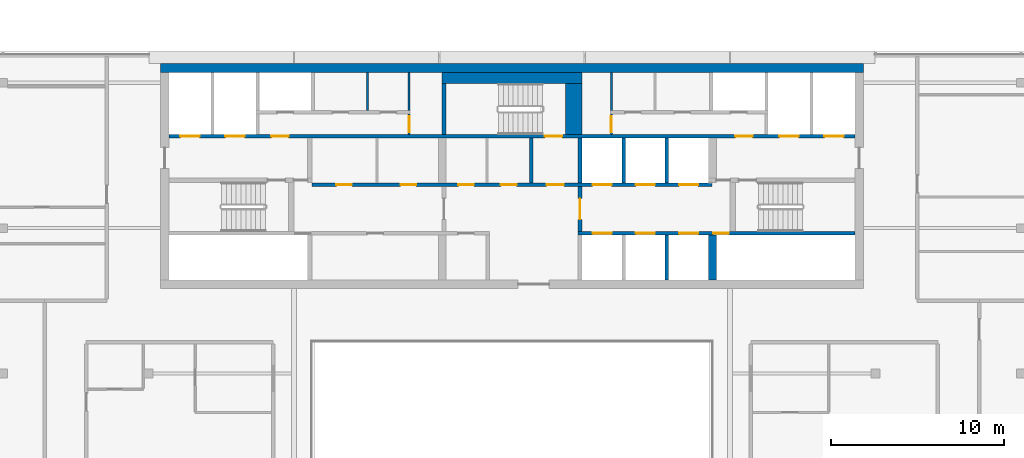
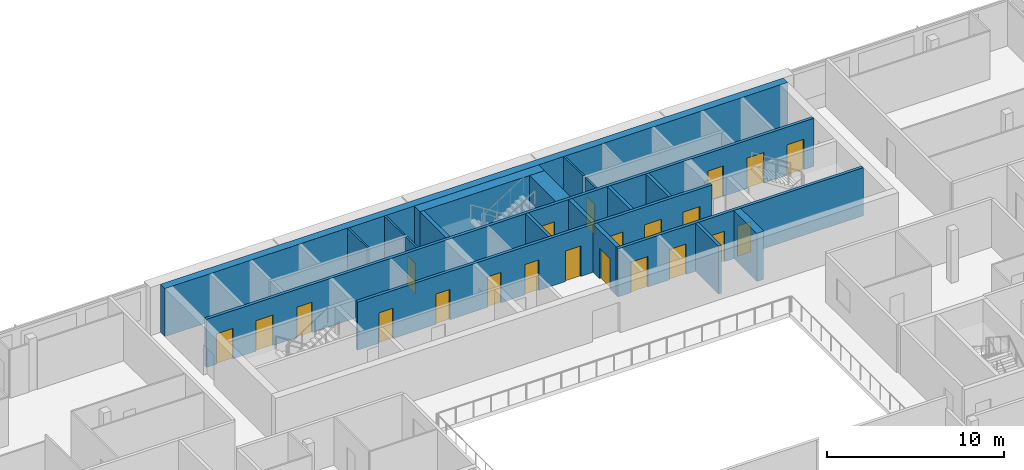
# One storey, part 19 of 27: 22 doors, 19 walls, 22 openings.
"""IFC4 building model written with IfcOpenShell, lengths in metres."""

from ifc_helpers import new_model, si_unit, direction, frame, frame_2d, origin, place, context, subcontext, project, spatial, rectangle, extrude, material, layer, layer_set, type_object, element, fill, save


model = new_model("IFC4")

# Units and contexts
model_context = context("Model", 3, precision=1e-05, world=origin(), true_north=direction((0.0, 1.0)))
body_context = subcontext(model_context, "Body", "Model", "MODEL_VIEW")
ifc_project = project(units=[si_unit("LENGTHUNIT", "METRE"), si_unit("AREAUNIT", "SQUARE_METRE"), si_unit("VOLUMEUNIT", "CUBIC_METRE"), si_unit("PLANEANGLEUNIT", "RADIAN"), si_unit("MASSUNIT", "GRAM", prefix="KILO")], contexts=[model_context])

# Site, building, storey
site_placement = place(None, origin())
site = spatial("IfcSite", under=ifc_project, at=site_placement, CompositionType="ELEMENT")
building_placement = place(site_placement, origin())
building = spatial("IfcBuilding", under=site, at=building_placement, Name="Saffron Gate Tower", CompositionType="ELEMENT")
storey_placement = place(building_placement, frame((0.0, 0.0, 267.14990234375)))
storey = spatial("IfcBuildingStorey", under=building, at=storey_placement, Name="L64", CompositionType="ELEMENT", Elevation=267.14990234375)

# Walls
ifc_material_1 = material(Name="Gypsum board partition on steel studs", Category="steel")
ifc_layer_1 = layer(ifc_material_1, 0.199951171875)
ifc_layer_set_1 = layer_set([ifc_layer_1], Name="CW10 Core partition 200")
wall_type_1 = type_object("IfcWallType", Name="CW10 Core partition 200", PredefinedType="PARTITIONING", material=ifc_layer_set_1)
wall_1_placement = place(storey_placement, frame((88.699951171875, 68.0, 0.0), z_axis=(0.0, 0.0, 1.0), x_axis=(0.0, 1.0, 0.0)))
element("IfcWall", 1, at=wall_1_placement, inside=storey, type_object=wall_type_1, Name="Wall CW10-L64-22", PredefinedType="PARTITIONING", context=body_context, shape_type="SweptSolid", body=[
    extrude(rectangle(XDim=2.60009765625, YDim=0.199951171875, at=frame_2d((1.300048828125, 0.0))), origin(), (0.0, 0.0, 1.0), 3.320068359375),
])
ifc_material_2 = material(Name="Concrete C50", Category="concrete")
ifc_layer_2 = layer(ifc_material_2, 0.5)
ifc_layer_set_2 = layer_set([ifc_layer_2], Name="CW22 RC core wall 500 C50")
wall_type_2 = type_object("IfcWallType", Name="CW22 RC core wall 500 C50", PredefinedType="SOLIDWALL", material=ifc_layer_set_2)
wall_2_placement = place(storey_placement, frame((67.300048828125, 74.64990234375, 0.0), z_axis=(0.0, 0.0, 1.0), x_axis=(1.0, 0.0, 0.0)))
element("IfcWall", 2, at=wall_2_placement, inside=storey, type_object=wall_type_2, Name="Wall CW22-L64-2", PredefinedType="SOLIDWALL", context=body_context, shape_type="SweptSolid", body=[
    extrude(rectangle(XDim=40.599853515625, YDim=0.5, at=frame_2d((20.2998046875, 0.0))), origin(), (0.0, 0.0, 1.0), 3.320068359375),
])

# Wall, opening, door
ifc_layer_3 = layer(ifc_material_2, 0.25)
ifc_layer_set_3 = layer_set([ifc_layer_3], Name="CW23 RC core wall 250 C50")
wall_type_3 = type_object("IfcWallType", Name="CW23 RC core wall 250 C50", PredefinedType="SOLIDWALL", material=ifc_layer_set_3)
wall_3_placement = place(storey_placement, frame((91.52490234375, 65.199951171875, 0.0), z_axis=(0.0, 0.0, 1.0), x_axis=(0.0, 1.0, 0.0)))
wall_3 = element("IfcWall", 3, at=wall_3_placement, inside=storey, type_object=wall_type_3, Name="Wall CW23-L64-16", PredefinedType="SOLIDWALL", context=body_context, shape_type="SweptSolid", body=[
    extrude(rectangle(XDim=2.60009765625, YDim=0.25, at=frame_2d((1.300048828125, 0.0))), origin(), (0.0, 0.0, 1.0), 3.320068359375),
])
opening_1_placement = place(wall_3_placement, frame((0.699951171875, 0.0, 0.0)))
opening_1 = element("IfcOpeningElement", 4, at=opening_1_placement, cuts=wall_3, Name="Opening CR-01", PredefinedType="OPENING", context=body_context, shape_type="SweptSolid", body=[
    extrude(rectangle(XDim=1.199951171875, YDim=2.10009765625, at=frame_2d((0.60009765625, 1.050048828125))), frame((0.0, 0.135009765625, 0.0), z_axis=(0.0, -1.0, 0.0), x_axis=(1.0, 0.0, 0.0)), (0.0, 0.0, 1.0), 0.27001953125),
])
ifc_material_3 = material(Name="Steel fire door set", Category="steel")
door_type_1 = type_object("IfcDoorType", Name="CD3 Lobby door 1200x2100 EI 120", OperationType="NOTDEFINED", PredefinedType="DOOR", material=ifc_material_3)
door_1_placement = place(opening_1_placement, origin())
door_1 = element("IfcDoor", 5, at=door_1_placement, inside=storey, type_object=door_type_1, Name="DOOR CR-01", OperationType="SINGLE_SWING_RIGHT", OverallHeight=2.10009765625, OverallWidth=1.199951171875, PredefinedType="DOOR", context=body_context, shape_type="SweptSolid", body=[
    extrude(rectangle(XDim=1.199951171875, YDim=2.10009765625, at=frame_2d((0.60009765625, 1.050048828125))), frame((0.0, 0.02490234375, 0.0), z_axis=(0.0, -1.0, 0.0), x_axis=(1.0, 0.0, 0.0)), (0.0, 0.0, 1.0), 0.050048828125),
])
fill(opening_1, door_1)

# Walls
wall_4_placement = place(storey_placement, frame((91.52490234375, 68.0, 0.0), z_axis=(0.0, 0.0, 1.0), x_axis=(0.0, 1.0, 0.0)))
element("IfcWall", 6, at=wall_4_placement, inside=storey, type_object=wall_type_3, Name="Wall CW23-L64-23", PredefinedType="SOLIDWALL", context=body_context, shape_type="SweptSolid", body=[
    extrude(rectangle(XDim=2.60009765625, YDim=0.25, at=frame_2d((1.300048828125, 0.0))), origin(), (0.0, 0.0, 1.0), 3.320068359375),
])
wall_5_placement = place(storey_placement, frame((83.675048828125, 70.800048828125, 0.0), z_axis=(0.0, 0.0, 1.0), x_axis=(0.0, 1.0, 0.0)))
element("IfcWall", 7, at=wall_5_placement, inside=storey, type_object=wall_type_3, Name="Wall CW23-L64-35", PredefinedType="SOLIDWALL", context=body_context, shape_type="SweptSolid", body=[
    extrude(rectangle(XDim=2.949951171875, YDim=0.25, at=frame_2d((1.47509765625, 0.0))), origin(), (0.0, 0.0, 1.0), 3.320068359375),
])
ifc_layer_4 = layer(ifc_material_2, 0.449951171875)
ifc_layer_set_4 = layer_set([ifc_layer_4], Name="CW24 RC core wall 450 C50")
wall_type_4 = type_object("IfcWallType", Name="CW24 RC core wall 450 C50", PredefinedType="SOLIDWALL", material=ifc_layer_set_4)
wall_6_placement = place(storey_placement, frame((99.175048828125, 62.39990234375, 0.0), z_axis=(0.0, 0.0, 1.0), x_axis=(0.0, 1.0, 0.0)))
element("IfcWall", 8, at=wall_6_placement, inside=storey, type_object=wall_type_4, Name="Wall CW24-L64-11", PredefinedType="SOLIDWALL", context=body_context, shape_type="SweptSolid", body=[
    extrude(rectangle(XDim=2.60009765625, YDim=0.449951171875, at=frame_2d((1.300048828125, 0.0))), origin(), (0.0, 0.0, 1.0), 3.320068359375),
])
ifc_layer_5 = layer(ifc_material_2, 0.199951171875)
ifc_layer_set_5 = layer_set([ifc_layer_5], Name="CW25 RC core wall 200 C50")
wall_type_5 = type_object("IfcWallType", Name="CW25 RC core wall 200 C50", PredefinedType="SOLIDWALL", material=ifc_layer_set_5)
wall_7_placement = place(storey_placement, frame((96.550048828125, 62.39990234375, 0.0), z_axis=(0.0, 0.0, 1.0), x_axis=(0.0, 1.0, 0.0)))
element("IfcWall", 9, at=wall_7_placement, inside=storey, type_object=wall_type_5, Name="Wall CW25-L64-10", PredefinedType="SOLIDWALL", context=body_context, shape_type="SweptSolid", body=[
    extrude(rectangle(XDim=2.60009765625, YDim=0.199951171875, at=frame_2d((1.300048828125, 0.0))), origin(), (0.0, 0.0, 1.0), 3.320068359375),
])

# Wall, openings, doors
wall_8_placement = place(storey_placement, frame((91.39990234375, 65.10009765625, 0.0), z_axis=(0.0, 0.0, 1.0), x_axis=(1.0, 0.0, 0.0)))
wall_8 = element("IfcWall", 10, at=wall_8_placement, inside=storey, type_object=wall_type_5, Name="Wall CW25-L64-13", PredefinedType="SOLIDWALL", context=body_context, shape_type="SweptSolid", body=[
    extrude(rectangle(XDim=16.0, YDim=0.199951171875, at=frame_2d((8.0, 0.0))), origin(), (0.0, 0.0, 1.0), 3.320068359375),
])
opening_2_placement = place(wall_8_placement, frame((0.85009765625, 0.0, 0.0)))
opening_2 = element("IfcOpeningElement", 11, at=opening_2_placement, cuts=wall_8, Name="Opening LD-HR1", PredefinedType="OPENING", context=body_context, shape_type="SweptSolid", body=[
    extrude(rectangle(XDim=1.10009765625, YDim=2.10009765625, at=frame_2d((0.550048828125, 1.050048828125))), frame((0.0, 0.10986328125, 0.0), z_axis=(0.0, -1.0, 0.0), x_axis=(1.0, 0.0, 0.0)), (0.0, 0.0, 1.0), 0.219970703125),
])
opening_3_placement = place(wall_8_placement, frame((3.35009765625, 0.0, 0.0)))
opening_3 = element("IfcOpeningElement", 12, at=opening_3_placement, cuts=wall_8, Name="Opening LD-HR2", PredefinedType="OPENING", context=body_context, shape_type="SweptSolid", body=[
    extrude(rectangle(XDim=1.10009765625, YDim=2.10009765625, at=frame_2d((0.550048828125, 1.050048828125))), frame((0.0, 0.10986328125, 0.0), z_axis=(0.0, -1.0, 0.0), x_axis=(1.0, 0.0, 0.0)), (0.0, 0.0, 1.0), 0.219970703125),
])
opening_4_placement = place(wall_8_placement, frame((5.85009765625, 0.0, 0.0)))
opening_4 = element("IfcOpeningElement", 13, at=opening_4_placement, cuts=wall_8, Name="Opening LD-HR3", PredefinedType="OPENING", context=body_context, shape_type="SweptSolid", body=[
    extrude(rectangle(XDim=1.10009765625, YDim=2.10009765625, at=frame_2d((0.550048828125, 1.050048828125))), frame((0.0, 0.10986328125, 0.0), z_axis=(0.0, -1.0, 0.0), x_axis=(1.0, 0.0, 0.0)), (0.0, 0.0, 1.0), 0.219970703125),
])
opening_5_placement = place(wall_8_placement, frame((7.830078125, 0.0, 0.0)))
opening_5 = element("IfcOpeningElement", 14, at=opening_5_placement, cuts=wall_8, Name="Opening CR-48", PredefinedType="OPENING", context=body_context, shape_type="SweptSolid", body=[
    extrude(rectangle(XDim=0.89990234375, YDim=2.10009765625, at=frame_2d((0.449951171875, 1.050048828125))), frame((0.0, 0.10986328125, 0.0), z_axis=(0.0, -1.0, 0.0), x_axis=(1.0, 0.0, 0.0)), (0.0, 0.0, 1.0), 0.219970703125),
])
door_type_2 = type_object("IfcDoorType", Name="CD2 Riser door 900x2100 EI 60", OperationType="NOTDEFINED", PredefinedType="DOOR", material=ifc_material_3)
door_2_placement = place(opening_5_placement, origin())
door_2 = element("IfcDoor", 15, at=door_2_placement, inside=storey, type_object=door_type_2, Name="DOOR CR-48", OperationType="SINGLE_SWING_RIGHT", OverallHeight=2.10009765625, OverallWidth=0.89990234375, PredefinedType="DOOR", context=body_context, shape_type="SweptSolid", body=[
    extrude(rectangle(XDim=0.89990234375, YDim=2.10009765625, at=frame_2d((0.449951171875, 1.050048828125))), frame((0.0, 0.02490234375, 0.0), z_axis=(0.0, -1.0, 0.0), x_axis=(1.0, 0.0, 0.0)), (0.0, 0.0, 1.0), 0.050048828125),
])
fill(opening_5, door_2)
ifc_material_4 = material(Name="Stainless steel landing door", Category="steel")
door_type_3 = type_object("IfcDoorType", Name="LD Lift landing door 1100x2100 EI 120", OperationType="SLIDING_TO_LEFT", PredefinedType="DOOR", material=ifc_material_4)
door_3_placement = place(opening_2_placement, origin())
door_3 = element("IfcDoor", 16, at=door_3_placement, inside=storey, type_object=door_type_3, Name="LANDING DOOR LD-HR1", OperationType="SLIDING_TO_LEFT", OverallHeight=2.10009765625, OverallWidth=1.10009765625, PredefinedType="DOOR", context=body_context, shape_type="SweptSolid", body=[
    extrude(rectangle(XDim=1.10009765625, YDim=2.10009765625, at=frame_2d((0.550048828125, 1.050048828125))), frame((0.0, 0.02490234375, 0.0), z_axis=(0.0, -1.0, 0.0), x_axis=(1.0, 0.0, 0.0)), (0.0, 0.0, 1.0), 0.050048828125),
])
fill(opening_2, door_3)
door_4_placement = place(opening_3_placement, origin())
door_4 = element("IfcDoor", 17, at=door_4_placement, inside=storey, type_object=door_type_3, Name="LANDING DOOR LD-HR2", OperationType="SLIDING_TO_LEFT", OverallHeight=2.10009765625, OverallWidth=1.10009765625, PredefinedType="DOOR", context=body_context, shape_type="SweptSolid", body=[
    extrude(rectangle(XDim=1.10009765625, YDim=2.10009765625, at=frame_2d((0.550048828125, 1.050048828125))), frame((0.0, 0.02490234375, 0.0), z_axis=(0.0, -1.0, 0.0), x_axis=(1.0, 0.0, 0.0)), (0.0, 0.0, 1.0), 0.050048828125),
])
fill(opening_3, door_4)
door_5_placement = place(opening_4_placement, origin())
door_5 = element("IfcDoor", 18, at=door_5_placement, inside=storey, type_object=door_type_3, Name="LANDING DOOR LD-HR3", OperationType="SLIDING_TO_LEFT", OverallHeight=2.10009765625, OverallWidth=1.10009765625, PredefinedType="DOOR", context=body_context, shape_type="SweptSolid", body=[
    extrude(rectangle(XDim=1.10009765625, YDim=2.10009765625, at=frame_2d((0.550048828125, 1.050048828125))), frame((0.0, 0.02490234375, 0.0), z_axis=(0.0, -1.0, 0.0), x_axis=(1.0, 0.0, 0.0)), (0.0, 0.0, 1.0), 0.050048828125),
])
fill(opening_4, door_5)

wall_9_placement = place(storey_placement, frame((76.050048828125, 67.89990234375, 0.0), z_axis=(0.0, 0.0, 1.0), x_axis=(1.0, 0.0, 0.0)))
wall_9 = element("IfcWall", 19, at=wall_9_placement, inside=storey, type_object=wall_type_5, Name="Wall CW25-L64-18", PredefinedType="SOLIDWALL", context=body_context, shape_type="SweptSolid", body=[
    extrude(rectangle(XDim=23.099853515625, YDim=0.199951171875, at=frame_2d((11.5498046875, 0.0))), origin(), (0.0, 0.0, 1.0), 3.320068359375),
])
opening_6_placement = place(wall_9_placement, frame((1.39990234375, 0.0, 0.0)))
opening_6 = element("IfcOpeningElement", 20, at=opening_6_placement, cuts=wall_9, Name="Opening CR-61", PredefinedType="OPENING", context=body_context, shape_type="SweptSolid", body=[
    extrude(rectangle(XDim=0.89990234375, YDim=2.10009765625, at=frame_2d((0.449951171875, 1.050048828125))), frame((0.0, 0.10986328125, 0.0), z_axis=(0.0, -1.0, 0.0), x_axis=(1.0, 0.0, 0.0)), (0.0, 0.0, 1.0), 0.219970703125),
])
opening_7_placement = place(wall_9_placement, frame((5.110107421875, 0.0, 0.0)))
opening_7 = element("IfcOpeningElement", 21, at=opening_7_placement, cuts=wall_9, Name="Opening CR-62", PredefinedType="OPENING", context=body_context, shape_type="SweptSolid", body=[
    extrude(rectangle(XDim=0.89990234375, YDim=2.10009765625, at=frame_2d((0.449951171875, 1.050048828125))), frame((0.0, 0.10986328125, 0.0), z_axis=(0.0, -1.0, 0.0), x_axis=(1.0, 0.0, 0.0)), (0.0, 0.0, 1.0), 0.219970703125),
])
opening_8_placement = place(wall_9_placement, frame((8.449951171875, 0.0, 0.0)))
opening_8 = element("IfcOpeningElement", 22, at=opening_8_placement, cuts=wall_9, Name="Opening CR-67", PredefinedType="OPENING", context=body_context, shape_type="SweptSolid", body=[
    extrude(rectangle(XDim=0.89990234375, YDim=2.10009765625, at=frame_2d((0.449951171875, 1.050048828125))), frame((0.0, 0.10986328125, 0.0), z_axis=(0.0, -1.0, 0.0), x_axis=(1.0, 0.0, 0.0)), (0.0, 0.0, 1.0), 0.219970703125),
])
opening_9_placement = place(wall_9_placement, frame((10.909912109375, 0.0, 0.0)))
opening_9 = element("IfcOpeningElement", 23, at=opening_9_placement, cuts=wall_9, Name="Opening CR-68", PredefinedType="OPENING", context=body_context, shape_type="SweptSolid", body=[
    extrude(rectangle(XDim=0.89990234375, YDim=2.10009765625, at=frame_2d((0.449951171875, 1.050048828125))), frame((0.0, 0.10986328125, 0.0), z_axis=(0.0, -1.0, 0.0), x_axis=(1.0, 0.0, 0.0)), (0.0, 0.0, 1.0), 0.219970703125),
])
opening_10_placement = place(wall_9_placement, frame((13.550048828125, 0.0, 0.0)))
opening_10 = element("IfcOpeningElement", 24, at=opening_10_placement, cuts=wall_9, Name="Opening CR-02", PredefinedType="OPENING", context=body_context, shape_type="SweptSolid", body=[
    extrude(rectangle(XDim=1.0, YDim=2.10009765625, at=frame_2d((0.5, 1.050048828125))), frame((0.0, 0.10986328125, 0.0), z_axis=(0.0, -1.0, 0.0), x_axis=(1.0, 0.0, 0.0)), (0.0, 0.0, 1.0), 0.219970703125),
])
opening_11_placement = place(wall_9_placement, frame((16.199951171875, 0.0, 0.0)))
opening_11 = element("IfcOpeningElement", 25, at=opening_11_placement, cuts=wall_9, Name="Opening LD-HR4", PredefinedType="OPENING", context=body_context, shape_type="SweptSolid", body=[
    extrude(rectangle(XDim=1.10009765625, YDim=2.10009765625, at=frame_2d((0.550048828125, 1.050048828125))), frame((0.0, 0.10986328125, 0.0), z_axis=(0.0, -1.0, 0.0), x_axis=(1.0, 0.0, 0.0)), (0.0, 0.0, 1.0), 0.219970703125),
])
opening_12_placement = place(wall_9_placement, frame((18.699951171875, 0.0, 0.0)))
opening_12 = element("IfcOpeningElement", 26, at=opening_12_placement, cuts=wall_9, Name="Opening LD-HR5", PredefinedType="OPENING", context=body_context, shape_type="SweptSolid", body=[
    extrude(rectangle(XDim=1.10009765625, YDim=2.10009765625, at=frame_2d((0.550048828125, 1.050048828125))), frame((0.0, 0.10986328125, 0.0), z_axis=(0.0, -1.0, 0.0), x_axis=(1.0, 0.0, 0.0)), (0.0, 0.0, 1.0), 0.219970703125),
])
opening_13_placement = place(wall_9_placement, frame((21.199951171875, 0.0, 0.0)))
opening_13 = element("IfcOpeningElement", 27, at=opening_13_placement, cuts=wall_9, Name="Opening LD-HR6", PredefinedType="OPENING", context=body_context, shape_type="SweptSolid", body=[
    extrude(rectangle(XDim=1.10009765625, YDim=2.10009765625, at=frame_2d((0.550048828125, 1.050048828125))), frame((0.0, 0.10986328125, 0.0), z_axis=(0.0, -1.0, 0.0), x_axis=(1.0, 0.0, 0.0)), (0.0, 0.0, 1.0), 0.219970703125),
])
door_type_4 = type_object("IfcDoorType", Name="CD4 Lobby door 1000x2100 EI 120", OperationType="NOTDEFINED", PredefinedType="DOOR", material=ifc_material_3)
door_6_placement = place(opening_10_placement, origin())
door_6 = element("IfcDoor", 28, at=door_6_placement, inside=storey, type_object=door_type_4, Name="DOOR CR-02", OperationType="SINGLE_SWING_LEFT", OverallHeight=2.10009765625, OverallWidth=1.0, PredefinedType="DOOR", context=body_context, shape_type="SweptSolid", body=[
    extrude(rectangle(XDim=1.0, YDim=2.10009765625, at=frame_2d((0.5, 1.050048828125))), frame((0.0, 0.02490234375, 0.0), z_axis=(0.0, -1.0, 0.0), x_axis=(1.0, 0.0, 0.0)), (0.0, 0.0, 1.0), 0.050048828125),
])
fill(opening_10, door_6)
door_type_5 = type_object("IfcDoorType", Name="CD9 Room door 900x2100 EI 60", OperationType="NOTDEFINED", PredefinedType="DOOR", material=ifc_material_3)
door_7_placement = place(opening_6_placement, origin())
door_7 = element("IfcDoor", 29, at=door_7_placement, inside=storey, type_object=door_type_5, Name="DOOR CR-61", OperationType="SINGLE_SWING_LEFT", OverallHeight=2.10009765625, OverallWidth=0.89990234375, PredefinedType="DOOR", context=body_context, shape_type="SweptSolid", body=[
    extrude(rectangle(XDim=0.89990234375, YDim=2.10009765625, at=frame_2d((0.449951171875, 1.050048828125))), frame((0.0, 0.02490234375, 0.0), z_axis=(0.0, -1.0, 0.0), x_axis=(1.0, 0.0, 0.0)), (0.0, 0.0, 1.0), 0.050048828125),
])
fill(opening_6, door_7)
door_8_placement = place(opening_7_placement, origin())
door_8 = element("IfcDoor", 30, at=door_8_placement, inside=storey, type_object=door_type_5, Name="DOOR CR-62", OperationType="SINGLE_SWING_LEFT", OverallHeight=2.10009765625, OverallWidth=0.89990234375, PredefinedType="DOOR", context=body_context, shape_type="SweptSolid", body=[
    extrude(rectangle(XDim=0.89990234375, YDim=2.10009765625, at=frame_2d((0.449951171875, 1.050048828125))), frame((0.0, 0.02490234375, 0.0), z_axis=(0.0, -1.0, 0.0), x_axis=(1.0, 0.0, 0.0)), (0.0, 0.0, 1.0), 0.050048828125),
])
fill(opening_7, door_8)
door_9_placement = place(opening_8_placement, origin())
door_9 = element("IfcDoor", 31, at=door_9_placement, inside=storey, type_object=door_type_5, Name="DOOR CR-67", OperationType="SINGLE_SWING_LEFT", OverallHeight=2.10009765625, OverallWidth=0.89990234375, PredefinedType="DOOR", context=body_context, shape_type="SweptSolid", body=[
    extrude(rectangle(XDim=0.89990234375, YDim=2.10009765625, at=frame_2d((0.449951171875, 1.050048828125))), frame((0.0, 0.02490234375, 0.0), z_axis=(0.0, -1.0, 0.0), x_axis=(1.0, 0.0, 0.0)), (0.0, 0.0, 1.0), 0.050048828125),
])
fill(opening_8, door_9)
door_10_placement = place(opening_9_placement, origin())
door_10 = element("IfcDoor", 32, at=door_10_placement, inside=storey, type_object=door_type_5, Name="DOOR CR-68", OperationType="SINGLE_SWING_LEFT", OverallHeight=2.10009765625, OverallWidth=0.89990234375, PredefinedType="DOOR", context=body_context, shape_type="SweptSolid", body=[
    extrude(rectangle(XDim=0.89990234375, YDim=2.10009765625, at=frame_2d((0.449951171875, 1.050048828125))), frame((0.0, 0.02490234375, 0.0), z_axis=(0.0, -1.0, 0.0), x_axis=(1.0, 0.0, 0.0)), (0.0, 0.0, 1.0), 0.050048828125),
])
fill(opening_9, door_10)
door_11_placement = place(opening_11_placement, origin())
door_11 = element("IfcDoor", 33, at=door_11_placement, inside=storey, type_object=door_type_3, Name="LANDING DOOR LD-HR4", OperationType="SLIDING_TO_RIGHT", OverallHeight=2.10009765625, OverallWidth=1.10009765625, PredefinedType="DOOR", context=body_context, shape_type="SweptSolid", body=[
    extrude(rectangle(XDim=1.10009765625, YDim=2.10009765625, at=frame_2d((0.550048828125, 1.050048828125))), frame((0.0, 0.02490234375, 0.0), z_axis=(0.0, -1.0, 0.0), x_axis=(1.0, 0.0, 0.0)), (0.0, 0.0, 1.0), 0.050048828125),
])
fill(opening_11, door_11)
door_12_placement = place(opening_12_placement, origin())
door_12 = element("IfcDoor", 34, at=door_12_placement, inside=storey, type_object=door_type_3, Name="LANDING DOOR LD-HR5", OperationType="SLIDING_TO_RIGHT", OverallHeight=2.10009765625, OverallWidth=1.10009765625, PredefinedType="DOOR", context=body_context, shape_type="SweptSolid", body=[
    extrude(rectangle(XDim=1.10009765625, YDim=2.10009765625, at=frame_2d((0.550048828125, 1.050048828125))), frame((0.0, 0.02490234375, 0.0), z_axis=(0.0, -1.0, 0.0), x_axis=(1.0, 0.0, 0.0)), (0.0, 0.0, 1.0), 0.050048828125),
])
fill(opening_12, door_12)
door_13_placement = place(opening_13_placement, origin())
door_13 = element("IfcDoor", 35, at=door_13_placement, inside=storey, type_object=door_type_3, Name="LANDING DOOR LD-HR6", OperationType="SLIDING_TO_RIGHT", OverallHeight=2.10009765625, OverallWidth=1.10009765625, PredefinedType="DOOR", context=body_context, shape_type="SweptSolid", body=[
    extrude(rectangle(XDim=1.10009765625, YDim=2.10009765625, at=frame_2d((0.550048828125, 1.050048828125))), frame((0.0, 0.02490234375, 0.0), z_axis=(0.0, -1.0, 0.0), x_axis=(1.0, 0.0, 0.0)), (0.0, 0.0, 1.0), 0.050048828125),
])
fill(opening_13, door_13)

# Walls
for number, where, z_axis, x_axis, name in (
    (36, (94.050048828125, 68.0, 0.0), (0.0, 0.0, 1.0), (0.0, 1.0, 0.0), "Wall CW25-L64-24"),
    (37, (96.550048828125, 68.0, 0.0), (0.0, 0.0, 1.0), (0.0, 1.0, 0.0), "Wall CW25-L64-25"),
):
    element("IfcWall", number, at=place(storey_placement, frame(where, z_axis=z_axis, x_axis=x_axis)), inside=storey, type_object=wall_type_5, Name=name, PredefinedType="SOLIDWALL", context=body_context, shape_type="SweptSolid", body=[
        extrude(rectangle(XDim=2.60009765625, YDim=0.199951171875, at=frame_2d((1.300048828125, 0.0))), origin(), (0.0, 0.0, 1.0), 3.320068359375),
    ])

# Wall, openings, doors
wall_10_placement = place(storey_placement, frame((67.800048828125, 70.699951171875, 0.0), z_axis=(0.0, 0.0, 1.0), x_axis=(1.0, 0.0, 0.0)))
wall_10 = element("IfcWall", 38, at=wall_10_placement, inside=storey, type_object=wall_type_5, Name="Wall CW25-L64-31", PredefinedType="SOLIDWALL", context=body_context, shape_type="SweptSolid", body=[
    extrude(rectangle(XDim=39.599853515625, YDim=0.199951171875, at=frame_2d((19.7998046875, 0.0))), origin(), (0.0, 0.0, 1.0), 3.320068359375),
])
opening_14_placement = place(wall_10_placement, frame((0.64990234375, 0.0, 0.0)))
opening_14 = element("IfcOpeningElement", 39, at=opening_14_placement, cuts=wall_10, Name="Opening LD-FF1", PredefinedType="OPENING", context=body_context, shape_type="SweptSolid", body=[
    extrude(rectangle(XDim=1.10009765625, YDim=2.10009765625, at=frame_2d((0.550048828125, 1.050048828125))), frame((0.0, 0.10986328125, 0.0), z_axis=(0.0, -1.0, 0.0), x_axis=(1.0, 0.0, 0.0)), (0.0, 0.0, 1.0), 0.219970703125),
])
opening_15_placement = place(wall_10_placement, frame((3.25, 0.0, 0.0)))
opening_15 = element("IfcOpeningElement", 40, at=opening_15_placement, cuts=wall_10, Name="Opening LD-SV1", PredefinedType="OPENING", context=body_context, shape_type="SweptSolid", body=[
    extrude(rectangle(XDim=1.10009765625, YDim=2.10009765625, at=frame_2d((0.550048828125, 1.050048828125))), frame((0.0, 0.10986328125, 0.0), z_axis=(0.0, -1.0, 0.0), x_axis=(1.0, 0.0, 0.0)), (0.0, 0.0, 1.0), 0.219970703125),
])
opening_16_placement = place(wall_10_placement, frame((5.89990234375, 0.0, 0.0)))
opening_16 = element("IfcOpeningElement", 41, at=opening_16_placement, cuts=wall_10, Name="Opening CR-03", PredefinedType="OPENING", context=body_context, shape_type="SweptSolid", body=[
    extrude(rectangle(XDim=1.0, YDim=2.10009765625, at=frame_2d((0.5, 1.050048828125))), frame((0.0, 0.10986328125, 0.0), z_axis=(0.0, -1.0, 0.0), x_axis=(1.0, 0.0, 0.0)), (0.0, 0.0, 1.0), 0.219970703125),
])
opening_17_placement = place(wall_10_placement, frame((21.699951171875, 0.0, 0.0)))
opening_17 = element("IfcOpeningElement", 42, at=opening_17_placement, cuts=wall_10, Name="Opening CR-17", PredefinedType="OPENING", context=body_context, shape_type="SweptSolid", body=[
    extrude(rectangle(XDim=1.0, YDim=2.10009765625, at=frame_2d((0.5, 1.050048828125))), frame((0.0, 0.10986328125, 0.0), z_axis=(0.0, -1.0, 0.0), x_axis=(1.0, 0.0, 0.0)), (0.0, 0.0, 1.0), 0.219970703125),
])
opening_18_placement = place(wall_10_placement, frame((32.699951171875, 0.0, 0.0)))
opening_18 = element("IfcOpeningElement", 43, at=opening_18_placement, cuts=wall_10, Name="Opening CR-04", PredefinedType="OPENING", context=body_context, shape_type="SweptSolid", body=[
    extrude(rectangle(XDim=1.0, YDim=2.10009765625, at=frame_2d((0.5, 1.050048828125))), frame((0.0, 0.10986328125, 0.0), z_axis=(0.0, -1.0, 0.0), x_axis=(1.0, 0.0, 0.0)), (0.0, 0.0, 1.0), 0.219970703125),
])
opening_19_placement = place(wall_10_placement, frame((35.25, 0.0, 0.0)))
opening_19 = element("IfcOpeningElement", 44, at=opening_19_placement, cuts=wall_10, Name="Opening LD-SV2", PredefinedType="OPENING", context=body_context, shape_type="SweptSolid", body=[
    extrude(rectangle(XDim=1.10009765625, YDim=2.10009765625, at=frame_2d((0.550048828125, 1.050048828125))), frame((0.0, 0.10986328125, 0.0), z_axis=(0.0, -1.0, 0.0), x_axis=(1.0, 0.0, 0.0)), (0.0, 0.0, 1.0), 0.219970703125),
])
opening_20_placement = place(wall_10_placement, frame((37.85009765625, 0.0, 0.0)))
opening_20 = element("IfcOpeningElement", 45, at=opening_20_placement, cuts=wall_10, Name="Opening LD-FF2", PredefinedType="OPENING", context=body_context, shape_type="SweptSolid", body=[
    extrude(rectangle(XDim=1.10009765625, YDim=2.10009765625, at=frame_2d((0.550048828125, 1.050048828125))), frame((0.0, 0.10986328125, 0.0), z_axis=(0.0, -1.0, 0.0), x_axis=(1.0, 0.0, 0.0)), (0.0, 0.0, 1.0), 0.219970703125),
])
door_14_placement = place(opening_16_placement, origin())
door_14 = element("IfcDoor", 46, at=door_14_placement, inside=storey, type_object=door_type_4, Name="DOOR CR-03", OperationType="SINGLE_SWING_LEFT", OverallHeight=2.10009765625, OverallWidth=1.0, PredefinedType="DOOR", context=body_context, shape_type="SweptSolid", body=[
    extrude(rectangle(XDim=1.0, YDim=2.10009765625, at=frame_2d((0.5, 1.050048828125))), frame((0.0, 0.02490234375, 0.0), z_axis=(0.0, -1.0, 0.0), x_axis=(1.0, 0.0, 0.0)), (0.0, 0.0, 1.0), 0.050048828125),
])
fill(opening_16, door_14)
door_15_placement = place(opening_18_placement, origin())
door_15 = element("IfcDoor", 47, at=door_15_placement, inside=storey, type_object=door_type_4, Name="DOOR CR-04", OperationType="SINGLE_SWING_RIGHT", OverallHeight=2.10009765625, OverallWidth=1.0, PredefinedType="DOOR", context=body_context, shape_type="SweptSolid", body=[
    extrude(rectangle(XDim=1.0, YDim=2.10009765625, at=frame_2d((0.5, 1.050048828125))), frame((0.0, 0.02490234375, 0.0), z_axis=(0.0, -1.0, 0.0), x_axis=(1.0, 0.0, 0.0)), (0.0, 0.0, 1.0), 0.050048828125),
])
fill(opening_18, door_15)
door_type_6 = type_object("IfcDoorType", Name="CD5 Stair door 1000x2100 EI 120", OperationType="NOTDEFINED", PredefinedType="DOOR", material=ifc_material_3)
door_16_placement = place(opening_17_placement, origin())
door_16 = element("IfcDoor", 48, at=door_16_placement, inside=storey, type_object=door_type_6, Name="DOOR CR-17", OperationType="SINGLE_SWING_RIGHT", OverallHeight=2.10009765625, OverallWidth=1.0, PredefinedType="DOOR", context=body_context, shape_type="SweptSolid", body=[
    extrude(rectangle(XDim=1.0, YDim=2.10009765625, at=frame_2d((0.5, 1.050048828125))), frame((0.0, 0.02490234375, 0.0), z_axis=(0.0, -1.0, 0.0), x_axis=(1.0, 0.0, 0.0)), (0.0, 0.0, 1.0), 0.050048828125),
])
fill(opening_17, door_16)
door_17_placement = place(opening_14_placement, origin())
door_17 = element("IfcDoor", 49, at=door_17_placement, inside=storey, type_object=door_type_3, Name="LANDING DOOR LD-FF1", OperationType="SLIDING_TO_RIGHT", OverallHeight=2.10009765625, OverallWidth=1.10009765625, PredefinedType="DOOR", context=body_context, shape_type="SweptSolid", body=[
    extrude(rectangle(XDim=1.10009765625, YDim=2.10009765625, at=frame_2d((0.550048828125, 1.050048828125))), frame((0.0, 0.02490234375, 0.0), z_axis=(0.0, -1.0, 0.0), x_axis=(1.0, 0.0, 0.0)), (0.0, 0.0, 1.0), 0.050048828125),
])
fill(opening_14, door_17)
door_18_placement = place(opening_15_placement, origin())
door_18 = element("IfcDoor", 50, at=door_18_placement, inside=storey, type_object=door_type_3, Name="LANDING DOOR LD-SV1", OperationType="SLIDING_TO_RIGHT", OverallHeight=2.10009765625, OverallWidth=1.10009765625, PredefinedType="DOOR", context=body_context, shape_type="SweptSolid", body=[
    extrude(rectangle(XDim=1.10009765625, YDim=2.10009765625, at=frame_2d((0.550048828125, 1.050048828125))), frame((0.0, 0.02490234375, 0.0), z_axis=(0.0, -1.0, 0.0), x_axis=(1.0, 0.0, 0.0)), (0.0, 0.0, 1.0), 0.050048828125),
])
fill(opening_15, door_18)
door_19_placement = place(opening_19_placement, origin())
door_19 = element("IfcDoor", 51, at=door_19_placement, inside=storey, type_object=door_type_3, Name="LANDING DOOR LD-SV2", OperationType="SLIDING_TO_RIGHT", OverallHeight=2.10009765625, OverallWidth=1.10009765625, PredefinedType="DOOR", context=body_context, shape_type="SweptSolid", body=[
    extrude(rectangle(XDim=1.10009765625, YDim=2.10009765625, at=frame_2d((0.550048828125, 1.050048828125))), frame((0.0, 0.02490234375, 0.0), z_axis=(0.0, -1.0, 0.0), x_axis=(1.0, 0.0, 0.0)), (0.0, 0.0, 1.0), 0.050048828125),
])
fill(opening_19, door_19)
door_20_placement = place(opening_20_placement, origin())
door_20 = element("IfcDoor", 52, at=door_20_placement, inside=storey, type_object=door_type_3, Name="LANDING DOOR LD-FF2", OperationType="SLIDING_TO_RIGHT", OverallHeight=2.10009765625, OverallWidth=1.10009765625, PredefinedType="DOOR", context=body_context, shape_type="SweptSolid", body=[
    extrude(rectangle(XDim=1.10009765625, YDim=2.10009765625, at=frame_2d((0.550048828125, 1.050048828125))), frame((0.0, 0.02490234375, 0.0), z_axis=(0.0, -1.0, 0.0), x_axis=(1.0, 0.0, 0.0)), (0.0, 0.0, 1.0), 0.050048828125),
])
fill(opening_20, door_20)

# Walls
ifc_layer_6 = layer(ifc_material_2, 0.949951171875)
ifc_layer_set_6 = layer_set([ifc_layer_6], Name="CW28 RC core wall 950 C50")
wall_type_6 = type_object("IfcWallType", Name="CW28 RC core wall 950 C50", PredefinedType="SOLIDWALL", material=ifc_layer_set_6)
wall_11_placement = place(storey_placement, frame((91.175048828125, 70.800048828125, 0.0), z_axis=(0.0, 0.0, 1.0), x_axis=(0.0, 1.0, 0.0)))
element("IfcWall", 53, at=wall_11_placement, inside=storey, type_object=wall_type_6, Name="Wall CW28-L64-36", PredefinedType="SOLIDWALL", context=body_context, shape_type="SweptSolid", body=[
    extrude(rectangle(XDim=2.949951171875, YDim=0.949951171875, at=frame_2d((1.47509765625, 0.0))), origin(), (0.0, 0.0, 1.0), 3.320068359375),
])
ifc_layer_7 = layer(ifc_material_2, 0.64990234375)
ifc_layer_set_7 = layer_set([ifc_layer_7], Name="CW29 RC core wall 650 C50")
wall_type_7 = type_object("IfcWallType", Name="CW29 RC core wall 650 C50", PredefinedType="SOLIDWALL", material=ifc_layer_set_7)
wall_12_placement = place(storey_placement, frame((83.550048828125, 74.074951171875, 0.0), z_axis=(0.0, 0.0, 1.0), x_axis=(1.0, 0.0, 0.0)))
element("IfcWall", 54, at=wall_12_placement, inside=storey, type_object=wall_type_7, Name="Wall CW29-L64-50", PredefinedType="SOLIDWALL", context=body_context, shape_type="SweptSolid", body=[
    extrude(rectangle(XDim=8.099853515625, YDim=0.64990234375, at=frame_2d((4.0498046875, 0.0))), origin(), (0.0, 0.0, 1.0), 3.320068359375),
])

# Wall, opening, door
ifc_layer_8 = layer(ifc_material_1, 0.1201171875)
ifc_layer_set_8 = layer_set([ifc_layer_8], Name="CW8 Core partition 120")
wall_type_8 = type_object("IfcWallType", Name="CW8 Core partition 120", PredefinedType="PARTITIONING", material=ifc_layer_set_8)
wall_13_placement = place(storey_placement, frame((81.659912109375, 70.800048828125, 0.0), z_axis=(0.0, 0.0, 1.0), x_axis=(0.0, 1.0, 0.0)))
wall_13 = element("IfcWall", 55, at=wall_13_placement, inside=storey, type_object=wall_type_8, Name="Wall CW8-L64-34", PredefinedType="PARTITIONING", context=body_context, shape_type="SweptSolid", body=[
    extrude(rectangle(XDim=1.199951171875, YDim=0.1201171875, at=frame_2d((0.60009765625, 0.0))), origin(), (0.0, 0.0, 1.0), 3.320068359375),
])
opening_21_placement = place(wall_13_placement, frame((0.14990234375, 0.0, 0.0)))
opening_21 = element("IfcOpeningElement", 56, at=opening_21_placement, cuts=wall_13, Name="Opening CR-60", PredefinedType="OPENING", context=body_context, shape_type="SweptSolid", body=[
    extrude(rectangle(XDim=0.89990234375, YDim=2.10009765625, at=frame_2d((0.449951171875, 1.050048828125))), frame((0.0, 0.070068359375, 0.0), z_axis=(0.0, -1.0, 0.0), x_axis=(1.0, 0.0, 0.0)), (0.0, 0.0, 1.0), 0.14013671875),
])
door_21_placement = place(opening_21_placement, origin())
door_21 = element("IfcDoor", 57, at=door_21_placement, inside=storey, type_object=door_type_5, Name="DOOR CR-60", OperationType="SINGLE_SWING_RIGHT", OverallHeight=2.10009765625, OverallWidth=0.89990234375, PredefinedType="DOOR", context=body_context, shape_type="SweptSolid", body=[
    extrude(rectangle(XDim=0.89990234375, YDim=2.10009765625, at=frame_2d((0.449951171875, 1.050048828125))), frame((0.0, 0.02490234375, 0.0), z_axis=(0.0, -1.0, 0.0), x_axis=(1.0, 0.0, 0.0)), (0.0, 0.0, 1.0), 0.050048828125),
])
fill(opening_21, door_21)

wall_14_placement = place(storey_placement, frame((93.340087890625, 70.800048828125, 0.0), z_axis=(0.0, 0.0, 1.0), x_axis=(0.0, 1.0, 0.0)))
wall_14 = element("IfcWall", 58, at=wall_14_placement, inside=storey, type_object=wall_type_8, Name="Wall CW8-L64-37", PredefinedType="PARTITIONING", context=body_context, shape_type="SweptSolid", body=[
    extrude(rectangle(XDim=1.199951171875, YDim=0.1201171875, at=frame_2d((0.60009765625, 0.0))), origin(), (0.0, 0.0, 1.0), 3.320068359375),
])
opening_22_placement = place(wall_14_placement, frame((0.14990234375, 0.0, 0.0)))
opening_22 = element("IfcOpeningElement", 59, at=opening_22_placement, cuts=wall_14, Name="Opening CR-54", PredefinedType="OPENING", context=body_context, shape_type="SweptSolid", body=[
    extrude(rectangle(XDim=0.89990234375, YDim=2.10009765625, at=frame_2d((0.449951171875, 1.050048828125))), frame((0.0, 0.070068359375, 0.0), z_axis=(0.0, -1.0, 0.0), x_axis=(1.0, 0.0, 0.0)), (0.0, 0.0, 1.0), 0.14013671875),
])
door_22_placement = place(opening_22_placement, origin())
door_22 = element("IfcDoor", 60, at=door_22_placement, inside=storey, type_object=door_type_5, Name="DOOR CR-54", OperationType="SINGLE_SWING_LEFT", OverallHeight=2.10009765625, OverallWidth=0.89990234375, PredefinedType="DOOR", context=body_context, shape_type="SweptSolid", body=[
    extrude(rectangle(XDim=0.89990234375, YDim=2.10009765625, at=frame_2d((0.449951171875, 1.050048828125))), frame((0.0, 0.02490234375, 0.0), z_axis=(0.0, -1.0, 0.0), x_axis=(1.0, 0.0, 0.0)), (0.0, 0.0, 1.0), 0.050048828125),
])
fill(opening_22, door_22)

# Walls
for number, where, z_axis, x_axis, name in (
    (61, (79.260009765625, 72.199951171875, 0.0), (0.0, 0.0, 1.0), (0.0, 1.0, 0.0), "Wall CW8-L64-44"),
    (62, (81.659912109375, 72.199951171875, 0.0), (0.0, 0.0, 1.0), (0.0, 1.0, 0.0), "Wall CW8-L64-45"),
    (63, (93.340087890625, 72.199951171875, 0.0), (0.0, 0.0, 1.0), (0.0, 1.0, 0.0), "Wall CW8-L64-46"),
):
    element("IfcWall", number, at=place(storey_placement, frame(where, z_axis=z_axis, x_axis=x_axis)), inside=storey, type_object=wall_type_8, Name=name, PredefinedType="PARTITIONING", context=body_context, shape_type="SweptSolid", body=[
        extrude(rectangle(XDim=2.199951171875, YDim=0.1201171875, at=frame_2d((1.10009765625, 0.0))), origin(), (0.0, 0.0, 1.0), 3.320068359375),
    ])

save(model, "model.ifc")
